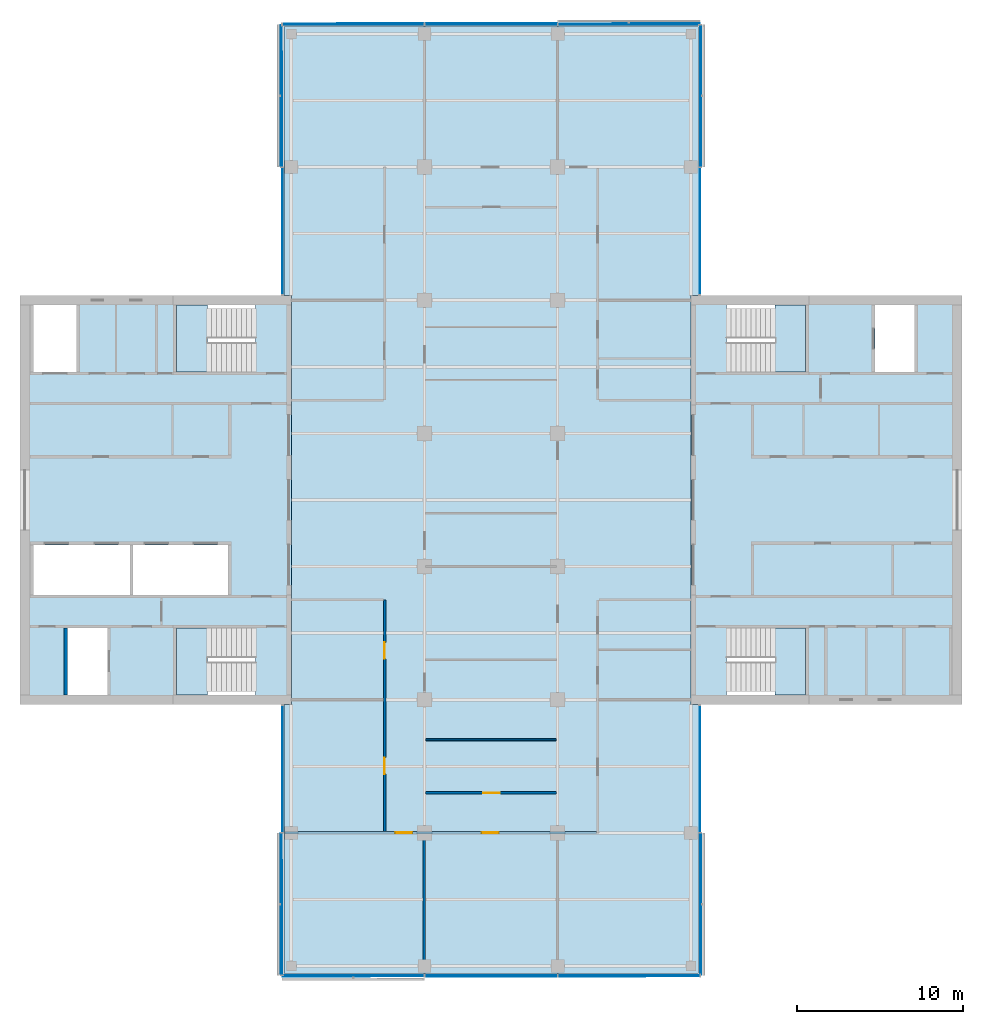
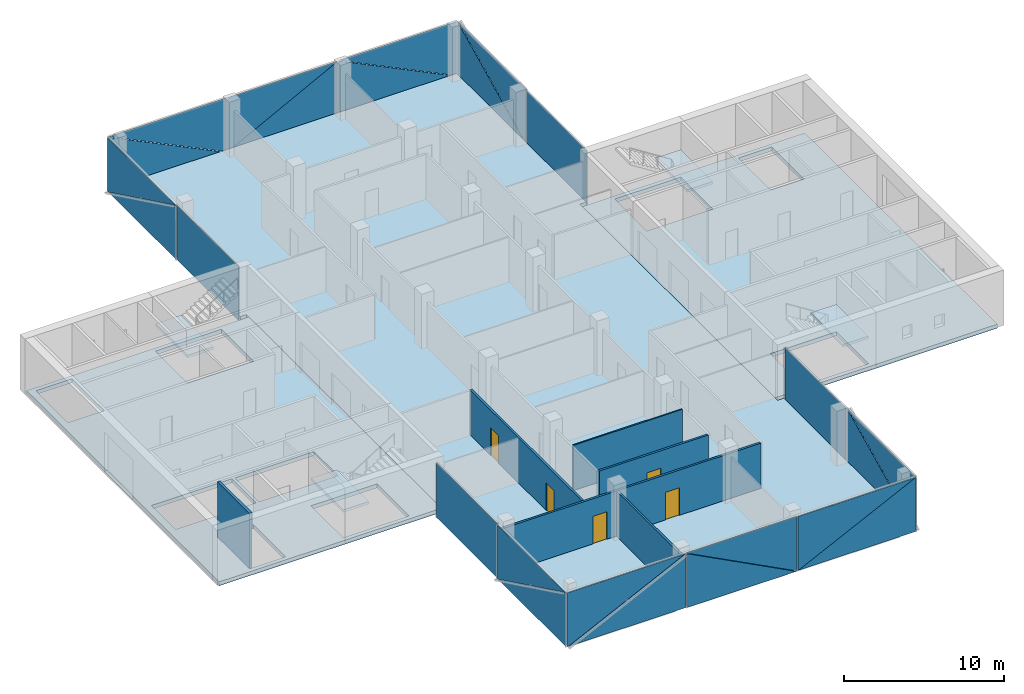
# One storey, part 8 of 15: 24 plates, 7 slabs, 6 walls, 5 doors, 5 openings, 14 elements without a shape of their own.
"""IFC4 building model written with IfcOpenShell, lengths in metres."""

from ifc_helpers import new_model, si_unit, direction, frame, frame_2d, origin, place, context, subcontext, project, spatial, polyline, rectangle, outline, extrude, material, layer, layer_set, type_object, element, fill, aggregate, save


model = new_model("IFC4")

# Units and contexts
model_context = context("Model", 3, precision=1e-05, world=origin(), true_north=direction((0.0, 1.0)))
body_context = subcontext(model_context, "Body", "Model", "MODEL_VIEW")
ifc_project = project(units=[si_unit("LENGTHUNIT", "METRE"), si_unit("AREAUNIT", "SQUARE_METRE"), si_unit("VOLUMEUNIT", "CUBIC_METRE"), si_unit("PLANEANGLEUNIT", "RADIAN"), si_unit("MASSUNIT", "GRAM", prefix="KILO")], contexts=[model_context])

# Site, building, storey
site_placement = place(None, origin())
site = spatial("IfcSite", under=ifc_project, at=site_placement, CompositionType="ELEMENT")
building_placement = place(site_placement, origin())
building = spatial("IfcBuilding", under=site, at=building_placement, Name="Crosswind Convention Tower", CompositionType="ELEMENT")
storey_placement = place(building_placement, frame((0.0, 0.0, 199.89990234375)))
storey = spatial("IfcBuildingStorey", under=building, at=storey_placement, Name="L42", CompositionType="ELEMENT", Elevation=199.89990234375)

# Slabs
ifc_material_1 = material(Name="Concrete C40/50", Category="concrete")
ifc_layer_1 = layer(ifc_material_1, 0.300048828125)
ifc_layer_set_1 = layer_set([ifc_layer_1], Name="Concrete C40/50")
slab_type_1 = type_object("IfcSlabType", Name="Composite floor slab 300", PredefinedType="FLOOR", material=ifc_layer_set_1)
slab_1_placement = place(storey_placement, frame((0.0, 0.0, -0.2998046875)))
element("IfcSlab", 1, at=slab_1_placement, inside=storey, type_object=slab_type_1, Name="Floor slab L42", PredefinedType="FLOOR", context=body_context, shape_type="SweptSolid", body=[
    extrude(outline(polyline([(137.449951171875, 71.550048828125), (137.0, 71.550048828125), (113.0, 71.550048828125), (112.550048828125, 71.550048828125), (112.550048828125, 72.0), (112.550048828125, 87.699951171875), (113.0, 87.699951171875), (113.0, 112.300048828125), (112.550048828125, 112.300048828125), (112.550048828125, 128.0), (112.550048828125, 128.449951171875), (113.0, 128.449951171875), (137.0, 128.449951171875), (137.449951171875, 128.449951171875), (137.449951171875, 128.0), (137.449951171875, 112.300048828125), (137.0, 112.300048828125), (137.0, 87.699951171875), (137.449951171875, 87.699951171875), (137.449951171875, 72.0), (137.449951171875, 71.550048828125)])), origin(), (0.0, 0.0, 1.0), 0.2998046875),
])
ifc_layer_2 = layer(ifc_material_1, 0.300048828125)
ifc_layer_set_2 = layer_set([ifc_layer_2], Name="Concrete C40/50")
slab_type_2 = type_object("IfcSlabType", Name="Concrete core floor slab 300", PredefinedType="FLOOR", material=ifc_layer_set_2)
slab_2_placement = place(storey_placement, frame((0.0, 0.0, -0.2998046875)))
element("IfcSlab", 2, at=slab_2_placement, inside=storey, type_object=slab_type_2, Name="Core floor slab E L42", PredefinedType="FLOOR", context=body_context, shape_type="SweptSolid", body=[
    extrude(outline(polyline([(137.0, 88.0), (153.0, 88.0), (153.0, 112.0), (137.0, 112.0), (137.0, 88.0)]), holes=[polyline([(150.449951171875, 107.699951171875), (150.449951171875, 111.699951171875), (148.050048828125, 111.699951171875), (148.050048828125, 107.699951171875), (150.449951171875, 107.699951171875)]), polyline([(143.89990234375, 107.699951171875), (143.89990234375, 111.699951171875), (139.14990234375, 111.699951171875), (139.14990234375, 107.699951171875), (143.89990234375, 107.699951171875)]), polyline([(143.89990234375, 88.300048828125), (143.89990234375, 92.300048828125), (139.14990234375, 92.300048828125), (139.14990234375, 88.300048828125), (143.89990234375, 88.300048828125)])]), origin(), (0.0, 0.0, 1.0), 0.2998046875),
])
slab_3_placement = place(storey_placement, frame((0.0, 0.0, -0.2998046875)))
element("IfcSlab", 3, at=slab_3_placement, inside=storey, type_object=slab_type_2, Name="Core floor slab W L42", PredefinedType="FLOOR", context=body_context, shape_type="SweptSolid", body=[
    extrude(outline(polyline([(97.0, 88.0), (113.0, 88.0), (113.0, 112.0), (97.0, 112.0), (97.0, 88.0)]), holes=[polyline([(109.199951171875, 94.300048828125), (109.199951171875, 97.300048828125), (103.5, 97.300048828125), (103.5, 94.300048828125), (109.199951171875, 94.300048828125)]), polyline([(103.300048828125, 94.300048828125), (103.300048828125, 97.300048828125), (97.5, 97.300048828125), (97.5, 94.300048828125), (103.300048828125, 94.300048828125)]), polyline([(101.949951171875, 88.300048828125), (101.949951171875, 92.300048828125), (99.550048828125, 92.300048828125), (99.550048828125, 88.300048828125), (101.949951171875, 88.300048828125)]), polyline([(100.10009765625, 107.699951171875), (100.10009765625, 111.699951171875), (97.5, 111.699951171875), (97.5, 107.699951171875), (100.10009765625, 107.699951171875)]), polyline([(110.85009765625, 88.300048828125), (110.85009765625, 92.300048828125), (106.10009765625, 92.300048828125), (106.10009765625, 88.300048828125), (110.85009765625, 88.300048828125)]), polyline([(110.85009765625, 107.699951171875), (110.85009765625, 111.699951171875), (106.10009765625, 111.699951171875), (106.10009765625, 107.699951171875), (110.85009765625, 107.699951171875)])]), origin(), (0.0, 0.0, 1.0), 0.2998046875),
])

# Stair, slab
stair_type = type_object("IfcStairType", Name="Exit stair 1800 wide, 2 flights of 11 risers", PredefinedType="HALF_TURN_STAIR", material=ifc_material_1)
stair_1_placement = place(storey_placement, origin())
stair_1 = element("IfcStair", 4, at=stair_1_placement, inside=storey, type_object=stair_type, Name="Exit stair ST1 L42", ObjectType="ST5", PredefinedType="HALF_TURN_STAIR")
ifc_layer_3 = layer(ifc_material_1, 0.199951171875)
ifc_layer_set_3 = layer_set([ifc_layer_3], Name="Concrete C40/50")
slab_type_3 = type_object("IfcSlabType", Name="Stair landing 200", PredefinedType="LANDING", material=ifc_layer_set_3)
slab_4_placement = place(storey_placement, frame((0.0, 0.0, 1.900146484375)))
slab_4 = element("IfcSlab", 5, at=slab_4_placement, type_object=slab_type_3, Name="ST1 landing 1", PredefinedType="LANDING", context=body_context, shape_type="SweptSolid", body=[
    extrude(outline(polyline([(143.89990234375, 107.699951171875), (143.89990234375, 111.699951171875), (142.050048828125, 111.699951171875), (142.050048828125, 107.699951171875), (143.89990234375, 107.699951171875)])), origin(), (0.0, 0.0, 1.0), 0.199951171875),
])
aggregate(stair_1, [slab_4])

stair_2_placement = place(storey_placement, origin())
stair_2 = element("IfcStair", 6, at=stair_2_placement, inside=storey, type_object=stair_type, Name="Exit stair ST2 L42", ObjectType="ST5", PredefinedType="HALF_TURN_STAIR")
slab_5_placement = place(storey_placement, frame((0.0, 0.0, 1.900146484375)))
slab_5 = element("IfcSlab", 7, at=slab_5_placement, type_object=slab_type_3, Name="ST2 landing 1", PredefinedType="LANDING", context=body_context, shape_type="SweptSolid", body=[
    extrude(outline(polyline([(143.89990234375, 88.300048828125), (143.89990234375, 92.300048828125), (142.050048828125, 92.300048828125), (142.050048828125, 88.300048828125), (143.89990234375, 88.300048828125)])), origin(), (0.0, 0.0, 1.0), 0.199951171875),
])
aggregate(stair_2, [slab_5])

stair_3_placement = place(storey_placement, origin())
stair_3 = element("IfcStair", 8, at=stair_3_placement, inside=storey, type_object=stair_type, Name="Exit stair ST3 L42", ObjectType="ST5", PredefinedType="HALF_TURN_STAIR")
slab_6_placement = place(storey_placement, frame((0.0, 0.0, 1.900146484375)))
slab_6 = element("IfcSlab", 9, at=slab_6_placement, type_object=slab_type_3, Name="ST3 landing 1", PredefinedType="LANDING", context=body_context, shape_type="SweptSolid", body=[
    extrude(outline(polyline([(107.949951171875, 88.300048828125), (107.949951171875, 92.300048828125), (106.10009765625, 92.300048828125), (106.10009765625, 88.300048828125), (107.949951171875, 88.300048828125)])), origin(), (0.0, 0.0, 1.0), 0.199951171875),
])
aggregate(stair_3, [slab_6])

stair_4_placement = place(storey_placement, origin())
stair_4 = element("IfcStair", 10, at=stair_4_placement, inside=storey, type_object=stair_type, Name="Exit stair ST4 L42", ObjectType="ST5", PredefinedType="HALF_TURN_STAIR")
slab_7_placement = place(storey_placement, frame((0.0, 0.0, 1.900146484375)))
slab_7 = element("IfcSlab", 11, at=slab_7_placement, type_object=slab_type_3, Name="ST4 landing 1", PredefinedType="LANDING", context=body_context, shape_type="SweptSolid", body=[
    extrude(outline(polyline([(107.949951171875, 107.699951171875), (107.949951171875, 111.699951171875), (106.10009765625, 111.699951171875), (106.10009765625, 107.699951171875), (107.949951171875, 107.699951171875)])), origin(), (0.0, 0.0, 1.0), 0.199951171875),
])
aggregate(stair_4, [slab_7])

# Curtain wall, plate
ifc_material_2 = material(Name="Aluminium unitised curtain wall", Category="aluminium")
curtain_wall_type_1 = type_object("IfcCurtainWallType", Name="CORE END SLOT WALL 160", PredefinedType="USERDEFINED", material=ifc_material_2)
curtain_wall_1_placement = place(storey_placement, origin())
curtain_wall_1 = element("IfcCurtainWall", 12, at=curtain_wall_1_placement, inside=storey, type_object=curtain_wall_type_1, Name="CW6 L42 N-E.1-1 slot", ObjectType="UNITISED", PredefinedType="USERDEFINED")
ifc_material_3 = material(Name="Laminated insulating glass unit", Category="glass")
ifc_layer_4 = layer(ifc_material_3, 0.02587890625)
ifc_layer_set_4 = layer_set([ifc_layer_4], Name="TRIANGULAR GLASS PANEL 26")
plate_type_1 = type_object("IfcPlateType", Name="TRIANGULAR GLASS PANEL 26", PredefinedType="CURTAIN_PANEL", material=ifc_layer_set_4)
plate_1_placement = place(storey_placement, frame((137.556884765625, 112.35009765625, -0.2998046875), z_axis=(0.999999915205, 0.0, 0.00041181312), x_axis=(0.0, 1.0, 0.0)))
plate_1 = element("IfcPlate", 13, at=plate_1_placement, type_object=plate_type_1, Name="CW6 panel 1.1", PredefinedType="CURTAIN_PANEL", context=body_context, shape_type="SweptSolid", body=[
    extrude(outline(polyline([(0.0, 0.0), (7.599853515625, 0.0), (7.599853515625, 4.149902695641109), (0.0, 4.149902695641109), (0.0, 0.0)])), origin(), (0.0, 0.0, -1.0), 0.02587890625),
])
aggregate(curtain_wall_1, [plate_1])

curtain_wall_2_placement = place(storey_placement, origin())
curtain_wall_2 = element("IfcCurtainWall", 14, at=curtain_wall_2_placement, inside=storey, type_object=curtain_wall_type_1, Name="CW6 L42 N-W.1-2 slot", ObjectType="UNITISED", PredefinedType="USERDEFINED")
plate_2_placement = place(storey_placement, frame((112.443115234375, 119.949951171875, -0.2998046875), z_axis=(-0.999999915205, 0.0, 0.00041181312), x_axis=(0.0, -1.0, 0.0)))
plate_2 = element("IfcPlate", 15, at=plate_2_placement, type_object=plate_type_1, Name="CW6 panel 1.1", PredefinedType="CURTAIN_PANEL", context=body_context, shape_type="SweptSolid", body=[
    extrude(outline(polyline([(0.0, 0.0), (7.599853515625, 0.0), (7.599853515625, 4.149902695641109), (0.0, 4.149902695641109), (0.0, 0.0)])), origin(), (0.0, 0.0, -1.0), 0.02587890625),
])
aggregate(curtain_wall_2, [plate_2])

curtain_wall_3_placement = place(storey_placement, origin())
curtain_wall_3 = element("IfcCurtainWall", 16, at=curtain_wall_3_placement, inside=storey, type_object=curtain_wall_type_1, Name="CW6 L42 S-W.1-1 slot", ObjectType="UNITISED", PredefinedType="USERDEFINED")
plate_3_placement = place(storey_placement, frame((112.443115234375, 87.64990234375, -0.2998046875), z_axis=(-0.999999915205, 0.0, 0.00041181312), x_axis=(0.0, -1.0, 0.0)))
plate_3 = element("IfcPlate", 17, at=plate_3_placement, type_object=plate_type_1, Name="CW6 panel 1.1", PredefinedType="CURTAIN_PANEL", context=body_context, shape_type="SweptSolid", body=[
    extrude(outline(polyline([(0.0, 0.0), (7.599853515625, 0.0), (7.599853515625, 4.149902695641109), (0.0, 4.149902695641109), (0.0, 0.0)])), origin(), (0.0, 0.0, -1.0), 0.02587890625),
])
aggregate(curtain_wall_3, [plate_3])

curtain_wall_4_placement = place(storey_placement, origin())
curtain_wall_4 = element("IfcCurtainWall", 18, at=curtain_wall_4_placement, inside=storey, type_object=curtain_wall_type_1, Name="CW6 L42 S-E.1-2 slot", ObjectType="UNITISED", PredefinedType="USERDEFINED")
plate_4_placement = place(storey_placement, frame((137.556884765625, 80.050048828125, -0.2998046875), z_axis=(0.999999915205, 0.0, 0.00041181312), x_axis=(0.0, 1.0, 0.0)))
plate_4 = element("IfcPlate", 19, at=plate_4_placement, type_object=plate_type_1, Name="CW6 panel 1.1", PredefinedType="CURTAIN_PANEL", context=body_context, shape_type="SweptSolid", body=[
    extrude(outline(polyline([(0.0, 0.0), (7.599853515625, 0.0), (7.599853515625, 4.149902695641109), (0.0, 4.149902695641109), (0.0, 0.0)])), origin(), (0.0, 0.0, -1.0), 0.02587890625),
])
aggregate(curtain_wall_4, [plate_4])

# Curtain wall, plates
curtain_wall_type_2 = type_object("IfcCurtainWallType", Name="OFFICE UNITISED WALL 220", PredefinedType="USERDEFINED", material=ifc_material_2)
curtain_wall_5_placement = place(storey_placement, origin())
curtain_wall_5 = element("IfcCurtainWall", 20, at=curtain_wall_5_placement, inside=storey, type_object=curtain_wall_type_2, Name="CW3 L42 N-E 1", ObjectType="UNITISED", PredefinedType="USERDEFINED")
ifc_layer_5 = layer(ifc_material_3, 0.031982421875)
ifc_layer_set_5 = layer_set([ifc_layer_5], Name="TRIANGULAR GLASS PANEL 32")
plate_type_2 = type_object("IfcPlateType", Name="TRIANGULAR GLASS PANEL 32", PredefinedType="CURTAIN_PANEL", material=ifc_layer_set_5)
plate_5_placement = place(storey_placement, frame((137.5927734375, 128.52490234375, -0.2998046875), z_axis=(0.999999913924, 0.0, 0.000414913129), x_axis=(-0.000414913129, 0.0, 0.999999913924)))
plate_5 = element("IfcPlate", 21, at=plate_5_placement, type_object=plate_type_2, Name="CW3 panel 1.1", PredefinedType="CURTAIN_PANEL", context=body_context, shape_type="SweptSolid", body=[
    extrude(outline(polyline([(0.0, 0.0), (4.118896838915043, 0.0), (0.0, 8.467041015624998), (0.0, 0.0)])), origin(), (0.0, 0.0, -1.0), 0.031982421875),
])
plate_6_placement = place(storey_placement, frame((137.625244140625, 120.034912109375, 3.830078125), z_axis=(0.99999993676, 0.0, 0.000355639833), x_axis=(0.000355639833, 0.0, -0.99999993676)))
plate_6 = element("IfcPlate", 22, at=plate_6_placement, type_object=plate_type_2, Name="CW3 panel 1.2", PredefinedType="CURTAIN_PANEL", context=body_context, shape_type="SweptSolid", body=[
    extrude(outline(polyline([(0.0, 0.0), (4.1188967448534015, 0.0), (0.0, 8.46728515625), (0.0, 0.0)])), origin(), (0.0, 0.0, -1.0), 0.031982421875),
])
aggregate(curtain_wall_5, [plate_5, plate_6])

curtain_wall_6_placement = place(storey_placement, origin())
curtain_wall_6 = element("IfcCurtainWall", 23, at=curtain_wall_6_placement, inside=storey, type_object=curtain_wall_type_2, Name="CW3 L42 N-TIP 1", ObjectType="UNITISED", PredefinedType="USERDEFINED")
plate_7_placement = place(storey_placement, frame((129.034912109375, 128.5927734375, -0.2998046875), z_axis=(0.0, 0.999999913924, 0.000414913129), x_axis=(0.0, -0.000414913129, 0.999999913924)))
plate_7 = element("IfcPlate", 24, at=plate_7_placement, type_object=plate_type_2, Name="CW3 panel 1.1", PredefinedType="CURTAIN_PANEL", context=body_context, shape_type="SweptSolid", body=[
    extrude(outline(polyline([(0.0, 0.0), (4.118896838915043, 0.0), (0.0, 8.467285156249998), (0.0, 0.0)])), origin(), (0.0, 0.0, -1.0), 0.031982421875),
])
plate_8_placement = place(storey_placement, frame((137.52490234375, 128.625244140625, 3.830078125), z_axis=(0.0, 0.99999993676, 0.000355639833), x_axis=(0.0, 0.000355639833, -0.99999993676)))
plate_8 = element("IfcPlate", 25, at=plate_8_placement, type_object=plate_type_2, Name="CW3 panel 1.2", PredefinedType="CURTAIN_PANEL", context=body_context, shape_type="SweptSolid", body=[
    extrude(outline(polyline([(0.0, 0.0), (4.1188967448534015, 0.0), (0.0, 8.467041015625), (0.0, 0.0)])), origin(), (0.0, 0.0, -1.0), 0.031982421875),
])
plate_9_placement = place(storey_placement, frame((121.034912109375, 128.591064453125, 3.830078125), z_axis=(0.0, 0.999999913913, 0.000414937724), x_axis=(1.0, 0.0, 0.0)))
plate_9 = element("IfcPlate", 26, at=plate_9_placement, type_object=plate_type_2, Name="CW3 panel 2.1", PredefinedType="CURTAIN_PANEL", context=body_context, shape_type="SweptSolid", body=[
    extrude(outline(polyline([(0.0, 0.0), (7.908447265625, 0.0), (0.0, 4.118652698311059), (0.0, 0.0)])), origin(), (0.0, 0.0, -1.0), 0.031982421875),
])
plate_10_placement = place(storey_placement, frame((128.965087890625, 128.626708984375, -0.2998046875), z_axis=(0.0, 0.999999936753, 0.000355660914), x_axis=(-1.0, 0.0, 0.0)))
plate_10 = element("IfcPlate", 27, at=plate_10_placement, type_object=plate_type_2, Name="CW3 panel 2.2", PredefinedType="CURTAIN_PANEL", context=body_context, shape_type="SweptSolid", body=[
    extrude(outline(polyline([(0.0, 0.0), (7.908447265625, 0.0), (0.0, 4.118652604243842), (0.0, 0.0)])), origin(), (0.0, 0.0, -1.0), 0.031982421875),
])
plate_11_placement = place(storey_placement, frame((112.47509765625, 128.5927734375, -0.2998046875), z_axis=(0.0, 0.999999913924, 0.000414913129), x_axis=(0.0, -0.000414913129, 0.999999913924)))
plate_11 = element("IfcPlate", 28, at=plate_11_placement, type_object=plate_type_2, Name="CW3 panel 3.1", PredefinedType="CURTAIN_PANEL", context=body_context, shape_type="SweptSolid", body=[
    extrude(outline(polyline([(0.0, 0.0), (4.118896838915043, 0.0), (0.0, 8.467041015624998), (0.0, 0.0)])), origin(), (0.0, 0.0, -1.0), 0.031982421875),
])
plate_12_placement = place(storey_placement, frame((120.965087890625, 128.625244140625, 3.830078125), z_axis=(0.0, 0.99999993676, 0.000355639833), x_axis=(0.0, 0.000355639833, -0.99999993676)))
plate_12 = element("IfcPlate", 29, at=plate_12_placement, type_object=plate_type_2, Name="CW3 panel 3.2", PredefinedType="CURTAIN_PANEL", context=body_context, shape_type="SweptSolid", body=[
    extrude(outline(polyline([(0.0, 0.0), (4.1188967448534015, 0.0), (0.0, 8.46728515625), (0.0, 0.0)])), origin(), (0.0, 0.0, -1.0), 0.031982421875),
])
aggregate(curtain_wall_6, [plate_7, plate_8, plate_9, plate_10, plate_11, plate_12])

curtain_wall_7_placement = place(storey_placement, origin())
curtain_wall_7 = element("IfcCurtainWall", 30, at=curtain_wall_7_placement, inside=storey, type_object=curtain_wall_type_2, Name="CW3 L42 N-W 1", ObjectType="UNITISED", PredefinedType="USERDEFINED")
plate_13_placement = place(storey_placement, frame((112.4072265625, 120.034912109375, -0.2998046875), z_axis=(-0.999999913924, 0.0, 0.000414913129), x_axis=(0.000414913129, 0.0, 0.999999913924)))
plate_13 = element("IfcPlate", 31, at=plate_13_placement, type_object=plate_type_2, Name="CW3 panel 1.1", PredefinedType="CURTAIN_PANEL", context=body_context, shape_type="SweptSolid", body=[
    extrude(outline(polyline([(0.0, 0.0), (4.118896838915043, 0.0), (0.0, 8.467285156249998), (0.0, 0.0)])), origin(), (0.0, 0.0, -1.0), 0.031982421875),
])
plate_14_placement = place(storey_placement, frame((112.374755859375, 128.52490234375, 3.830078125), z_axis=(-0.99999993676, 0.0, 0.000355639833), x_axis=(-0.000355639833, 0.0, -0.99999993676)))
plate_14 = element("IfcPlate", 32, at=plate_14_placement, type_object=plate_type_2, Name="CW3 panel 1.2", PredefinedType="CURTAIN_PANEL", context=body_context, shape_type="SweptSolid", body=[
    extrude(outline(polyline([(0.0, 0.0), (4.1188967448534015, 0.0), (0.0, 8.467041015625), (0.0, 0.0)])), origin(), (0.0, 0.0, -1.0), 0.031982421875),
])
aggregate(curtain_wall_7, [plate_13, plate_14])

curtain_wall_8_placement = place(storey_placement, origin())
curtain_wall_8 = element("IfcCurtainWall", 33, at=curtain_wall_8_placement, inside=storey, type_object=curtain_wall_type_2, Name="CW3 L42 S-W 1", ObjectType="UNITISED", PredefinedType="USERDEFINED")
plate_15_placement = place(storey_placement, frame((112.4072265625, 71.47509765625, -0.2998046875), z_axis=(-0.999999913924, 0.0, 0.000414913129), x_axis=(0.000414913129, 0.0, 0.999999913924)))
plate_15 = element("IfcPlate", 34, at=plate_15_placement, type_object=plate_type_2, Name="CW3 panel 1.1", PredefinedType="CURTAIN_PANEL", context=body_context, shape_type="SweptSolid", body=[
    extrude(outline(polyline([(0.0, 0.0), (4.118896838915043, 0.0), (0.0, 8.467041015624998), (0.0, 0.0)])), origin(), (0.0, 0.0, -1.0), 0.031982421875),
])
plate_16_placement = place(storey_placement, frame((112.374755859375, 79.965087890625, 3.830078125), z_axis=(-0.99999993676, 0.0, 0.000355639833), x_axis=(-0.000355639833, 0.0, -0.99999993676)))
plate_16 = element("IfcPlate", 35, at=plate_16_placement, type_object=plate_type_2, Name="CW3 panel 1.2", PredefinedType="CURTAIN_PANEL", context=body_context, shape_type="SweptSolid", body=[
    extrude(outline(polyline([(0.0, 0.0), (4.1188967448534015, 0.0), (0.0, 8.46728515625), (0.0, 0.0)])), origin(), (0.0, 0.0, -1.0), 0.031982421875),
])
aggregate(curtain_wall_8, [plate_15, plate_16])

curtain_wall_9_placement = place(storey_placement, origin())
curtain_wall_9 = element("IfcCurtainWall", 36, at=curtain_wall_9_placement, inside=storey, type_object=curtain_wall_type_2, Name="CW3 L42 S-TIP 1", ObjectType="UNITISED", PredefinedType="USERDEFINED")
plate_17_placement = place(storey_placement, frame((120.965087890625, 71.4072265625, -0.2998046875), z_axis=(0.0, -0.999999913924, 0.000414913129), x_axis=(0.0, 0.000414913129, 0.999999913924)))
plate_17 = element("IfcPlate", 37, at=plate_17_placement, type_object=plate_type_2, Name="CW3 panel 1.1", PredefinedType="CURTAIN_PANEL", context=body_context, shape_type="SweptSolid", body=[
    extrude(outline(polyline([(0.0, 0.0), (4.118896838915043, 0.0), (0.0, 8.467285156249998), (0.0, 0.0)])), origin(), (0.0, 0.0, -1.0), 0.031982421875),
])
plate_18_placement = place(storey_placement, frame((112.47509765625, 71.374755859375, 3.830078125), z_axis=(0.0, -0.99999993676, 0.000355639833), x_axis=(0.0, -0.000355639833, -0.99999993676)))
plate_18 = element("IfcPlate", 38, at=plate_18_placement, type_object=plate_type_2, Name="CW3 panel 1.2", PredefinedType="CURTAIN_PANEL", context=body_context, shape_type="SweptSolid", body=[
    extrude(outline(polyline([(0.0, 0.0), (4.1188967448534015, 0.0), (0.0, 8.467041015625), (0.0, 0.0)])), origin(), (0.0, 0.0, -1.0), 0.031982421875),
])
plate_19_placement = place(storey_placement, frame((128.965087890625, 71.408935546875, 3.830078125), z_axis=(0.0, -0.999999913913, 0.000414937724), x_axis=(-1.0, 0.0, 0.0)))
plate_19 = element("IfcPlate", 39, at=plate_19_placement, type_object=plate_type_2, Name="CW3 panel 2.1", PredefinedType="CURTAIN_PANEL", context=body_context, shape_type="SweptSolid", body=[
    extrude(outline(polyline([(0.0, 0.0), (7.908447265625, 0.0), (0.0, 4.118652698311059), (0.0, 0.0)])), origin(), (0.0, 0.0, -1.0), 0.031982421875),
])
plate_20_placement = place(storey_placement, frame((121.034912109375, 71.373291015625, -0.2998046875), z_axis=(0.0, -0.999999936753, 0.000355660914), x_axis=(1.0, 0.0, 0.0)))
plate_20 = element("IfcPlate", 40, at=plate_20_placement, type_object=plate_type_2, Name="CW3 panel 2.2", PredefinedType="CURTAIN_PANEL", context=body_context, shape_type="SweptSolid", body=[
    extrude(outline(polyline([(0.0, 0.0), (7.908447265625, 0.0), (0.0, 4.118652604243842), (0.0, 0.0)])), origin(), (0.0, 0.0, -1.0), 0.031982421875),
])
plate_21_placement = place(storey_placement, frame((137.52490234375, 71.4072265625, -0.2998046875), z_axis=(0.0, -0.999999913924, 0.000414913129), x_axis=(0.0, 0.000414913129, 0.999999913924)))
plate_21 = element("IfcPlate", 41, at=plate_21_placement, type_object=plate_type_2, Name="CW3 panel 3.1", PredefinedType="CURTAIN_PANEL", context=body_context, shape_type="SweptSolid", body=[
    extrude(outline(polyline([(0.0, 0.0), (4.118896838915043, 0.0), (0.0, 8.467041015624998), (0.0, 0.0)])), origin(), (0.0, 0.0, -1.0), 0.031982421875),
])
plate_22_placement = place(storey_placement, frame((129.034912109375, 71.374755859375, 3.830078125), z_axis=(0.0, -0.99999993676, 0.000355639833), x_axis=(0.0, -0.000355639833, -0.99999993676)))
plate_22 = element("IfcPlate", 42, at=plate_22_placement, type_object=plate_type_2, Name="CW3 panel 3.2", PredefinedType="CURTAIN_PANEL", context=body_context, shape_type="SweptSolid", body=[
    extrude(outline(polyline([(0.0, 0.0), (4.1188967448534015, 0.0), (0.0, 8.46728515625), (0.0, 0.0)])), origin(), (0.0, 0.0, -1.0), 0.031982421875),
])
aggregate(curtain_wall_9, [plate_17, plate_18, plate_19, plate_20, plate_21, plate_22])

curtain_wall_10_placement = place(storey_placement, origin())
curtain_wall_10 = element("IfcCurtainWall", 43, at=curtain_wall_10_placement, inside=storey, type_object=curtain_wall_type_2, Name="CW3 L42 S-E 1", ObjectType="UNITISED", PredefinedType="USERDEFINED")
plate_23_placement = place(storey_placement, frame((137.5927734375, 79.965087890625, -0.2998046875), z_axis=(0.999999913924, 0.0, 0.000414913129), x_axis=(-0.000414913129, 0.0, 0.999999913924)))
plate_23 = element("IfcPlate", 44, at=plate_23_placement, type_object=plate_type_2, Name="CW3 panel 1.1", PredefinedType="CURTAIN_PANEL", context=body_context, shape_type="SweptSolid", body=[
    extrude(outline(polyline([(0.0, 0.0), (4.118896838915043, 0.0), (0.0, 8.467285156249998), (0.0, 0.0)])), origin(), (0.0, 0.0, -1.0), 0.031982421875),
])
plate_24_placement = place(storey_placement, frame((137.625244140625, 71.47509765625, 3.830078125), z_axis=(0.99999993676, 0.0, 0.000355639833), x_axis=(0.000355639833, 0.0, -0.99999993676)))
plate_24 = element("IfcPlate", 45, at=plate_24_placement, type_object=plate_type_2, Name="CW3 panel 1.2", PredefinedType="CURTAIN_PANEL", context=body_context, shape_type="SweptSolid", body=[
    extrude(outline(polyline([(0.0, 0.0), (4.1188967448534015, 0.0), (0.0, 8.467041015625), (0.0, 0.0)])), origin(), (0.0, 0.0, -1.0), 0.031982421875),
])
aggregate(curtain_wall_10, [plate_23, plate_24])

# Walls
ifc_material_4 = material(Name="Concrete C50/60", Category="concrete")
ifc_layer_6 = layer(ifc_material_4, 0.199951171875)
ifc_layer_set_6 = layer_set([ifc_layer_6], Name="Concrete C50/60")
wall_type_1 = type_object("IfcWallType", Name="Concrete shaft and stair wall 200", PredefinedType="SHEAR", material=ifc_layer_set_6)
wall_1_placement = place(storey_placement, frame((99.449951171875, 92.300048828125, 0.0), z_axis=(0.0, 0.0, 1.0), x_axis=(0.0, -1.0, 0.0)))
element("IfcWall", 46, at=wall_1_placement, inside=storey, type_object=wall_type_1, Name="Wall PFSE W L42", PredefinedType="SHEAR", context=body_context, shape_type="SweptSolid", body=[
    extrude(rectangle(XDim=4.0, YDim=0.199951171875, at=frame_2d((2.0, 0.0))), origin(), (0.0, 0.0, 1.0), 4.2001953125),
])
ifc_material_5 = material(Name="Plasterboard partition", Category="gypsum")
ifc_layer_7 = layer(ifc_material_5, 0.10009765625)
ifc_layer_set_7 = layer_set([ifc_layer_7], Name="PARTITION 100 METAL STUD")
wall_type_2 = type_object("IfcWallType", Name="PARTITION 100 METAL STUD", PredefinedType="PARTITIONING", material=ifc_layer_set_7)
wall_2_placement = place(storey_placement, frame((121.074951171875, 85.60009765625, 0.0), z_axis=(0.0, 0.0, 1.0), x_axis=(1.0, 0.0, 0.0)))
element("IfcWall", 47, at=wall_2_placement, inside=storey, type_object=wall_type_2, Name="Partition wall WT40", PredefinedType="PARTITIONING", context=body_context, shape_type="SweptSolid", body=[
    extrude(rectangle(XDim=7.85009765625, YDim=0.10009765625, at=frame_2d((3.925048828125, 0.0))), origin(), (0.0, 0.0, 1.0), 3.43994140625),
])

# Wall, openings, doors
ifc_material_6 = material(Name="Fire-board partition with mineral wool", Category="gypsum")
ifc_layer_8 = layer(ifc_material_6, 0.14990234375)
ifc_layer_set_8 = layer_set([ifc_layer_8], Name="TENANCY WALL 150 TWO-HOUR BOARD")
wall_type_3 = type_object("IfcWallType", Name="TENANCY WALL 150 TWO-HOUR BOARD", PredefinedType="PARTITIONING", material=ifc_layer_set_8)
wall_3_placement = place(storey_placement, frame((118.60009765625, 80.074951171875, 0.0), z_axis=(0.0, 0.0, 1.0), x_axis=(0.0, 1.0, 0.0)))
wall_3 = element("IfcWall", 48, at=wall_3_placement, inside=storey, type_object=wall_type_3, Name="Tenancy wall WT41", PredefinedType="PARTITIONING", context=body_context, shape_type="SweptSolid", body=[
    extrude(rectangle(XDim=13.925048828125, YDim=0.14990234375, at=frame_2d((6.96240234375, 0.0))), origin(), (0.0, 0.0, 1.0), 3.43994140625),
])
opening_1_placement = place(wall_3_placement, frame((10.375, 0.0, 0.0)))
opening_1 = element("IfcOpeningElement", 49, at=opening_1_placement, cuts=wall_3, Name="Opening L42-58", PredefinedType="OPENING", context=body_context, shape_type="SweptSolid", body=[
    extrude(rectangle(XDim=1.0, YDim=2.10009765625, at=frame_2d((0.5, 1.050048828125))), frame((0.0, 0.0849609375, 0.0), z_axis=(0.0, -1.0, 0.0), x_axis=(1.0, 0.0, 0.0)), (0.0, 0.0, 1.0), 0.169921875),
])
opening_2_placement = place(wall_3_placement, frame((3.449951171875, 0.0, 0.0)))
opening_2 = element("IfcOpeningElement", 50, at=opening_2_placement, cuts=wall_3, Name="Opening L42-59", PredefinedType="OPENING", context=body_context, shape_type="SweptSolid", body=[
    extrude(rectangle(XDim=1.0, YDim=2.10009765625, at=frame_2d((0.5, 1.050048828125))), frame((0.0, 0.0849609375, 0.0), z_axis=(0.0, -1.0, 0.0), x_axis=(1.0, 0.0, 0.0)), (0.0, 0.0, 1.0), 0.169921875),
])
ifc_material_7 = material(Name="Timber fire door", Category="wood")
door_type = type_object("IfcDoorType", Name="TENANCY ENTRANCE DOOR 1000X2100 FD30S", OperationType="NOTDEFINED", PredefinedType="DOOR", material=ifc_material_7)
door_1_placement = place(opening_1_placement, origin())
door_1 = element("IfcDoor", 51, at=door_1_placement, inside=storey, type_object=door_type, Name="Door L42-58", ObjectType="D41", OperationType="SINGLE_SWING_LEFT", OverallHeight=2.10009765625, OverallWidth=1.0, PredefinedType="DOOR", context=body_context, shape_type="SweptSolid", body=[
    extrude(rectangle(XDim=1.0, YDim=2.10009765625, at=frame_2d((0.5, 1.050048828125))), frame((0.0, 0.02490234375, 0.0), z_axis=(0.0, -1.0, 0.0), x_axis=(1.0, 0.0, 0.0)), (0.0, 0.0, 1.0), 0.050048828125),
])
fill(opening_1, door_1)
door_2_placement = place(opening_2_placement, origin())
door_2 = element("IfcDoor", 52, at=door_2_placement, inside=storey, type_object=door_type, Name="Door L42-59", ObjectType="D41", OperationType="SINGLE_SWING_RIGHT", OverallHeight=2.10009765625, OverallWidth=1.0, PredefinedType="DOOR", context=body_context, shape_type="SweptSolid", body=[
    extrude(rectangle(XDim=1.0, YDim=2.10009765625, at=frame_2d((0.5, 1.050048828125))), frame((0.0, 0.02490234375, 0.0), z_axis=(0.0, -1.0, 0.0), x_axis=(1.0, 0.0, 0.0)), (0.0, 0.0, 1.0), 0.050048828125),
])
fill(opening_2, door_2)

# Wall
wall_4_placement = place(storey_placement, frame((121.0, 71.6298828125, 0.0), z_axis=(0.0, 0.0, 1.0), x_axis=(0.0, 1.0, 0.0)))
element("IfcWall", 53, at=wall_4_placement, inside=storey, type_object=wall_type_3, Name="Tenancy wall WT41", PredefinedType="PARTITIONING", context=body_context, shape_type="SweptSolid", body=[
    extrude(rectangle(XDim=8.295166015625, YDim=0.14990234375, at=frame_2d((4.1474609375, 0.0))), origin(), (0.0, 0.0, 1.0), 3.43994140625),
])

# Wall, openings, doors
wall_5_placement = place(storey_placement, frame((112.6298828125, 80.0, 0.0), z_axis=(0.0, 0.0, 1.0), x_axis=(1.0, 0.0, 0.0)))
wall_5 = element("IfcWall", 54, at=wall_5_placement, inside=storey, type_object=wall_type_3, Name="Tenancy wall WT41", PredefinedType="PARTITIONING", context=body_context, shape_type="SweptSolid", body=[
    extrude(rectangle(XDim=18.695068359375, YDim=0.14990234375, at=frame_2d((9.34765625, 0.0))), origin(), (0.0, 0.0, 1.0), 3.43994140625),
])
opening_3_placement = place(wall_5_placement, frame((6.6201171875, 0.0, 0.0)))
opening_3 = element("IfcOpeningElement", 55, at=opening_3_placement, cuts=wall_5, Name="Opening L42-62", PredefinedType="OPENING", context=body_context, shape_type="SweptSolid", body=[
    extrude(rectangle(XDim=1.0, YDim=2.10009765625, at=frame_2d((0.5, 1.050048828125))), frame((0.0, 0.0849609375, 0.0), z_axis=(0.0, -1.0, 0.0), x_axis=(1.0, 0.0, 0.0)), (0.0, 0.0, 1.0), 0.169921875),
])
opening_4_placement = place(wall_5_placement, frame((11.820068359375, 0.0, 0.0)))
opening_4 = element("IfcOpeningElement", 56, at=opening_4_placement, cuts=wall_5, Name="Opening L42-63", PredefinedType="OPENING", context=body_context, shape_type="SweptSolid", body=[
    extrude(rectangle(XDim=1.0, YDim=2.10009765625, at=frame_2d((0.5, 1.050048828125))), frame((0.0, 0.0849609375, 0.0), z_axis=(0.0, -1.0, 0.0), x_axis=(1.0, 0.0, 0.0)), (0.0, 0.0, 1.0), 0.169921875),
])
door_3_placement = place(opening_3_placement, frame((1.0, 0.0, 0.0), z_axis=(0.0, 0.0, 1.0), x_axis=(-1.0, 0.0, 0.0)))
door_3 = element("IfcDoor", 57, at=door_3_placement, inside=storey, type_object=door_type, Name="Door L42-62", ObjectType="D41", OperationType="SINGLE_SWING_LEFT", OverallHeight=2.10009765625, OverallWidth=1.0, PredefinedType="DOOR", context=body_context, shape_type="SweptSolid", body=[
    extrude(rectangle(XDim=1.0, YDim=2.10009765625, at=frame_2d((0.5, 1.050048828125))), frame((0.0, 0.02490234375, 0.0), z_axis=(0.0, -1.0, 0.0), x_axis=(1.0, 0.0, 0.0)), (0.0, 0.0, 1.0), 0.050048828125),
])
fill(opening_3, door_3)
door_4_placement = place(opening_4_placement, frame((1.0, 0.0, 0.0), z_axis=(0.0, 0.0, 1.0), x_axis=(-1.0, 0.0, 0.0)))
door_4 = element("IfcDoor", 58, at=door_4_placement, inside=storey, type_object=door_type, Name="Door L42-63", ObjectType="D41", OperationType="SINGLE_SWING_RIGHT", OverallHeight=2.10009765625, OverallWidth=1.0, PredefinedType="DOOR", context=body_context, shape_type="SweptSolid", body=[
    extrude(rectangle(XDim=1.0, YDim=2.10009765625, at=frame_2d((0.5, 1.050048828125))), frame((0.0, 0.02490234375, 0.0), z_axis=(0.0, -1.0, 0.0), x_axis=(1.0, 0.0, 0.0)), (0.0, 0.0, 1.0), 0.050048828125),
])
fill(opening_4, door_4)

# Wall, opening, door
wall_6_placement = place(storey_placement, frame((121.074951171875, 82.39990234375, 0.0), z_axis=(0.0, 0.0, 1.0), x_axis=(1.0, 0.0, 0.0)))
wall_6 = element("IfcWall", 59, at=wall_6_placement, inside=storey, type_object=wall_type_3, Name="Tenancy wall WT41", PredefinedType="PARTITIONING", context=body_context, shape_type="SweptSolid", body=[
    extrude(rectangle(XDim=7.85009765625, YDim=0.14990234375, at=frame_2d((3.925048828125, 0.0))), origin(), (0.0, 0.0, 1.0), 3.43994140625),
])
opening_5_placement = place(wall_6_placement, frame((3.449951171875, 0.0, 0.0)))
opening_5 = element("IfcOpeningElement", 60, at=opening_5_placement, cuts=wall_6, Name="Opening L42-64", PredefinedType="OPENING", context=body_context, shape_type="SweptSolid", body=[
    extrude(rectangle(XDim=1.0, YDim=2.10009765625, at=frame_2d((0.5, 1.050048828125))), frame((0.0, 0.0849609375, 0.0), z_axis=(0.0, -1.0, 0.0), x_axis=(1.0, 0.0, 0.0)), (0.0, 0.0, 1.0), 0.169921875),
])
door_5_placement = place(opening_5_placement, origin())
door_5 = element("IfcDoor", 61, at=door_5_placement, inside=storey, type_object=door_type, Name="Door L42-64", ObjectType="D41", OperationType="SINGLE_SWING_RIGHT", OverallHeight=2.10009765625, OverallWidth=1.0, PredefinedType="DOOR", context=body_context, shape_type="SweptSolid", body=[
    extrude(rectangle(XDim=1.0, YDim=2.10009765625, at=frame_2d((0.5, 1.050048828125))), frame((0.0, 0.02490234375, 0.0), z_axis=(0.0, -1.0, 0.0), x_axis=(1.0, 0.0, 0.0)), (0.0, 0.0, 1.0), 0.050048828125),
])
fill(opening_5, door_5)

save(model, "model.ifc")
